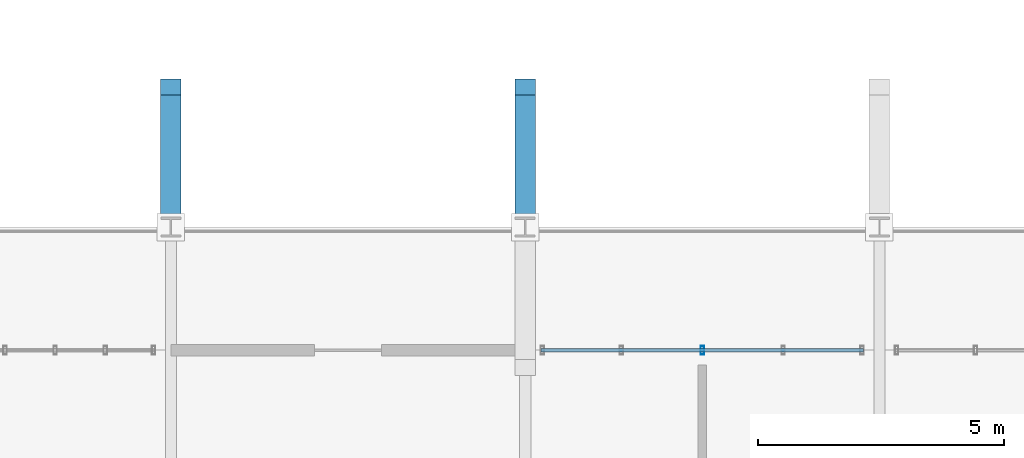
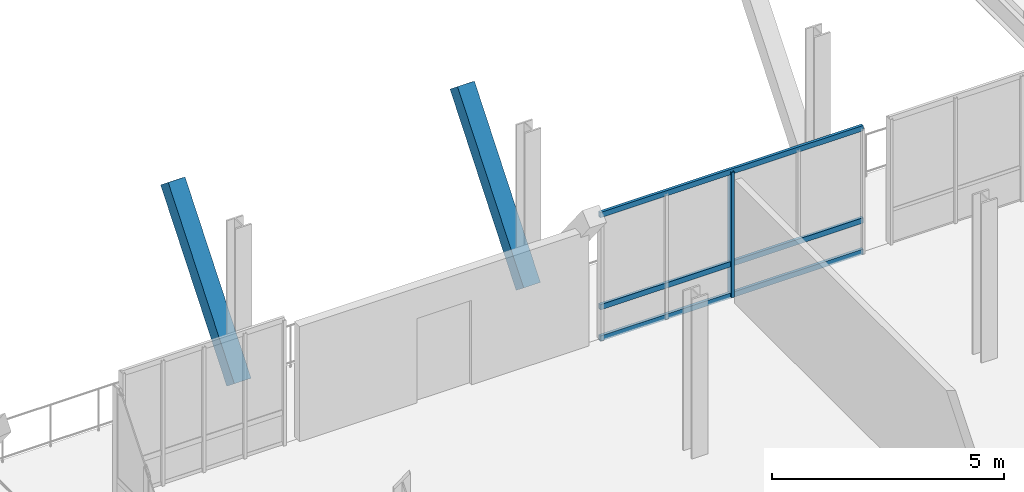
# One storey, part 38 of 102: 6 members, 1 element without a shape of its own.
"""IFC4 building model written with IfcOpenShell, lengths in metres."""

from ifc_helpers import new_model, si_unit, direction, frame, origin, origin_2d, place, context, subcontext, project, spatial, rectangle, hollow_rectangle, extrude, material, material_profile, profile_set, type_object, element, aggregate, save


model = new_model("IFC4")

# Units and contexts
model_context = context("Model", 3, precision=1e-05, world=origin(), true_north=direction((0.0, 1.0)))
body_context = subcontext(model_context, "Body", "Model", "MODEL_VIEW")
ifc_project = project(units=[si_unit("LENGTHUNIT", "METRE"), si_unit("AREAUNIT", "SQUARE_METRE"), si_unit("VOLUMEUNIT", "CUBIC_METRE"), si_unit("PLANEANGLEUNIT", "RADIAN"), si_unit("MASSUNIT", "GRAM", prefix="KILO")], contexts=[model_context])

# Site, building, storey
site_placement = place(None, origin())
site = spatial("IfcSite", under=ifc_project, at=site_placement, CompositionType="ELEMENT")
building_placement = place(site_placement, origin())
building = spatial("IfcBuilding", under=site, at=building_placement, Name="Yarey Park Central Fire Station", CompositionType="ELEMENT")
storey_placement = place(building_placement, frame((0.0, 0.0, 6.0)))
storey = spatial("IfcBuildingStorey", under=building, at=storey_placement, Name="L02", CompositionType="ELEMENT", Elevation=6.0)

# Curtain wall, members
ifc_material_1 = material(Name="Anodized Aluminium Frame", Category="aluminium")
curtain_wall_type = type_object("IfcCurtainWallType", Name="ENV_CW_V3_GALN", PredefinedType="NOTDEFINED", material=ifc_material_1)
curtain_wall_placement = place(storey_placement, origin())
curtain_wall = element("IfcCurtainWall", 1, at=curtain_wall_placement, inside=storey, type_object=curtain_wall_type, Name="CW_L02_V3_N_041", PredefinedType="NOTDEFINED")
ifc_material_profile_1 = material_profile(ifc_material_1, hollow_rectangle(XDim=0.070068359375, YDim=0.179931640625, WallThickness=0.00390625, at=origin_2d()), Name="ALU 180x70x4")
ifc_profile_set_1 = profile_set([ifc_material_profile_1], Name="Anodized Aluminium Frame")
member_type_1 = type_object("IfcMemberType", Name="ENV_CW_MULLION", PredefinedType="MULLION", material=ifc_profile_set_1)
member_1_placement = place(storey_placement, frame((46.800048828125, 83.89990234375, 0.0), z_axis=(0.0, 0.0, 1.0), x_axis=(1.0, 0.0, 0.0)))
member_1 = element("IfcMember", 2, at=member_1_placement, type_object=member_type_1, Name="CW_L02_V3_N_041_MUL3", PredefinedType="MULLION", context=body_context, shape_type="SweptSolid", body=[
    extrude(hollow_rectangle(XDim=0.070068359375, YDim=0.179931640625, WallThickness=0.00390625, at=origin_2d()), origin(), (0.0, 0.0, 1.0), 3.300048828125),
])
ifc_material_profile_2 = material_profile(ifc_material_1, hollow_rectangle(XDim=0.070068359375, YDim=0.139892578125, WallThickness=0.00390625, at=origin_2d()), Name="ALU 140x70x4")
ifc_profile_set_2 = profile_set([ifc_material_profile_2], Name="Anodized Aluminium Frame")
member_type_2 = type_object("IfcMemberType", Name="ENV_CW_TRANSOM", PredefinedType="USERDEFINED", material=ifc_profile_set_2)
member_2_placement = place(storey_placement, frame((50.074951171875, 83.89990234375, 0.02490234375), z_axis=(-1.0, 0.0, 0.0), x_axis=(0.0, -1.0, 0.0)))
member_2 = element("IfcMember", 3, at=member_2_placement, type_object=member_type_2, Name="CW_L02_V3_N_041_TRN1", ObjectType="TRANSOM", PredefinedType="USERDEFINED", context=body_context, shape_type="SweptSolid", body=[
    extrude(hollow_rectangle(XDim=0.070068359375, YDim=0.139892578125, WallThickness=0.00390625, at=origin_2d()), origin(), (0.0, 0.0, 1.0), 6.550048828125),
])
member_3_placement = place(storey_placement, frame((50.074951171875, 83.89990234375, 0.85009765625), z_axis=(-1.0, 0.0, 0.0), x_axis=(0.0, -1.0, 0.0)))
member_3 = element("IfcMember", 4, at=member_3_placement, type_object=member_type_2, Name="CW_L02_V3_N_041_TRN2", ObjectType="TRANSOM", PredefinedType="USERDEFINED", context=body_context, shape_type="SweptSolid", body=[
    extrude(hollow_rectangle(XDim=0.070068359375, YDim=0.139892578125, WallThickness=0.00390625, at=origin_2d()), origin(), (0.0, 0.0, 1.0), 6.550048828125),
])
member_4_placement = place(storey_placement, frame((50.074951171875, 83.89990234375, 3.27490234375), z_axis=(-1.0, 0.0, 0.0), x_axis=(0.0, -1.0, 0.0)))
member_4 = element("IfcMember", 5, at=member_4_placement, type_object=member_type_2, Name="CW_L02_V3_N_041_TRN3", ObjectType="TRANSOM", PredefinedType="USERDEFINED", context=body_context, shape_type="SweptSolid", body=[
    extrude(hollow_rectangle(XDim=0.070068359375, YDim=0.139892578125, WallThickness=0.00390625, at=origin_2d()), origin(), (0.0, 0.0, 1.0), 6.550048828125),
])
aggregate(curtain_wall, [member_1, member_2, member_3, member_4])

# Members
ifc_material_2 = material(Name="Glulam GL28h", Category="wood")
ifc_material_profile_3 = material_profile(ifc_material_2, rectangle(XDim=0.419921875, YDim=0.419921875, at=origin_2d()), Name="GL 420x420")
ifc_profile_set_3 = profile_set([ifc_material_profile_3], Name="Glulam GL28h")
member_type_3 = type_object("IfcMemberType", Name="STR_STRUT_GL420", PredefinedType="STRUT", material=ifc_profile_set_3)
for number, where, z_axis, x_axis, name in (
    (6, (36.0, 86.39990234375, -0.02001953125), (0.0, 0.623899588473, 0.781504512785), (-1.0, 0.0, 0.0), "Raked Glulam Strut RGS-03"),
    (7, (43.199951171875, 86.39990234375, -0.02001953125), (0.0, 0.623899588473, 0.781504512785), (-1.0, 0.0, 0.0), "Raked Glulam Strut RGS-04"),
):
    element("IfcMember", number, at=place(storey_placement, frame(where, z_axis=z_axis, x_axis=x_axis)), inside=storey, type_object=member_type_3, Name=name, PredefinedType="STRUT", context=body_context, shape_type="SweptSolid", body=[
        extrude(rectangle(XDim=0.419921875, YDim=0.419921875, at=origin_2d()), origin(), (0.0, 0.0, 1.0), 4.568115234375),
    ])

save(model, "model.ifc")
